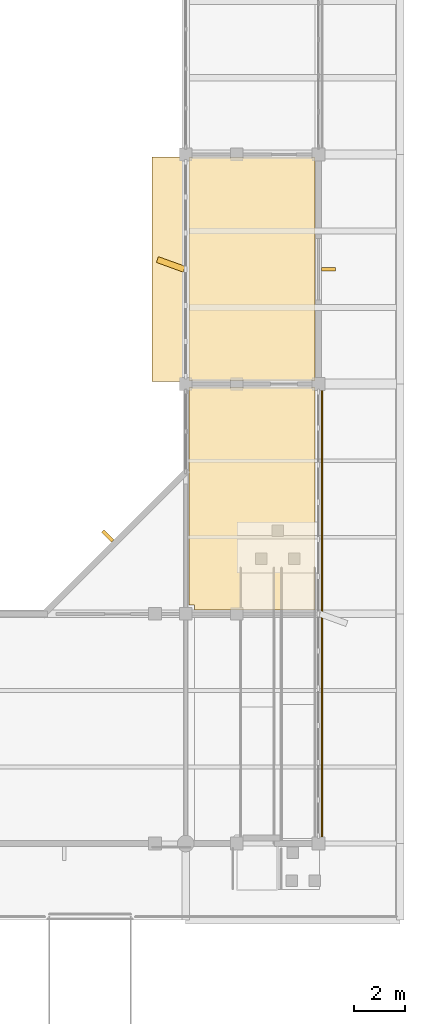
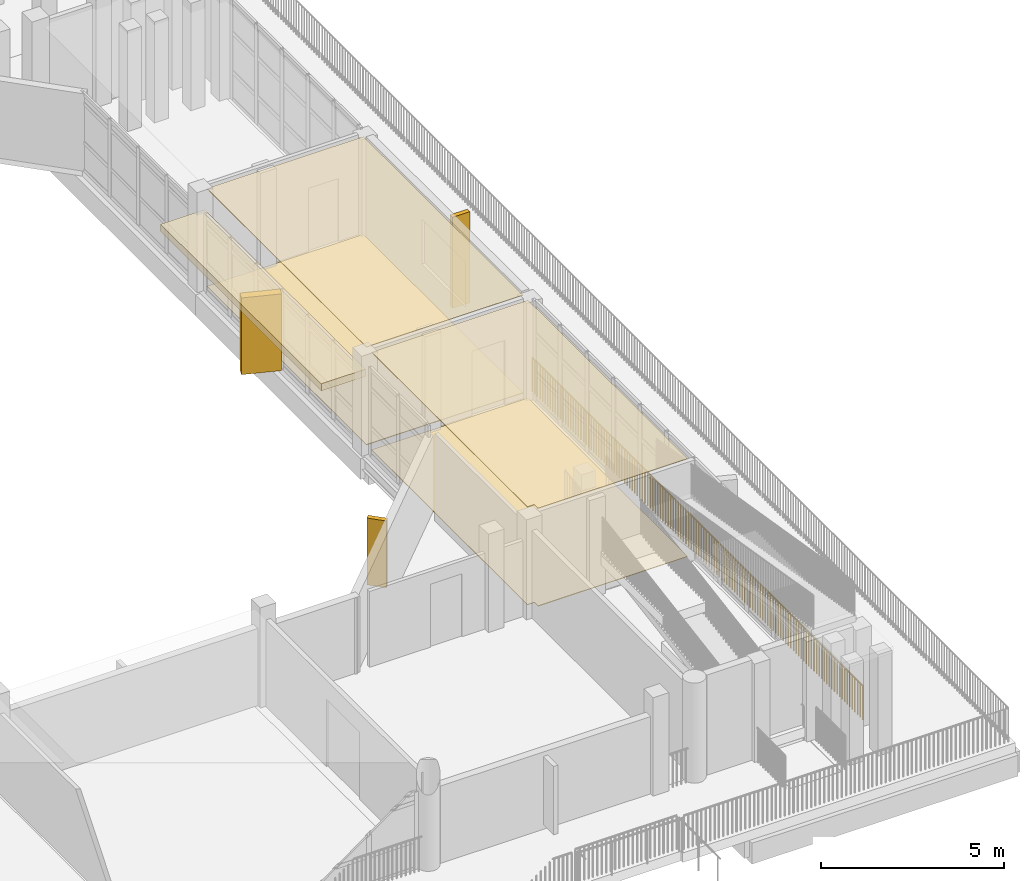
# One storey, part 46 of 51: 6 coverings, 2 shading devices, 1 railing.
"""IFC4 building model written with IfcOpenShell, lengths in metres."""

from ifc_helpers import new_model, si_unit, direction, frame, origin, origin_2d, place, context, subcontext, project, spatial, polyline, rectangle, circle, outline, extrude, material, layer, layer_set, type_object, element, save


model = new_model("IFC4")

# Units and contexts
model_context = context("Model", 3, precision=1e-05, world=origin(), true_north=direction((0.0, 1.0)))
body_context = subcontext(model_context, "Body", "Model", "MODEL_VIEW")
ifc_project = project(units=[si_unit("LENGTHUNIT", "METRE"), si_unit("AREAUNIT", "SQUARE_METRE"), si_unit("VOLUMEUNIT", "CUBIC_METRE"), si_unit("PLANEANGLEUNIT", "RADIAN"), si_unit("MASSUNIT", "GRAM", prefix="KILO")], contexts=[model_context])

# Site, building, storey
site_placement = place(None, origin())
site = spatial("IfcSite", under=ifc_project, at=site_placement, CompositionType="ELEMENT")
building_placement = place(site_placement, origin())
building = spatial("IfcBuilding", under=site, at=building_placement, Name="Vanh Quang Courtyard School", CompositionType="ELEMENT")
storey_placement = place(building_placement, frame((0.0, 0.0, 11.39990234375)))
storey = spatial("IfcBuildingStorey", under=building, at=storey_placement, Name="L03", CompositionType="ELEMENT", Elevation=11.39990234375)

# Coverings
ifc_material_1 = material(Name="Perforated mineral-fibre acoustic ceiling board")
ifc_layer_1 = layer(ifc_material_1, 0.02490234375)
ifc_layer_set_1 = layer_set([ifc_layer_1], Name="Perforated mineral-fibre acoustic ceiling board")
covering_type_1 = type_object("IfcCoveringType", Name="COV-CEIL-ACOUSTIC", PredefinedType="CEILING", material=ifc_layer_set_1)
covering_1_placement = place(storey_placement, frame((0.0, 0.0, 3.255126953125)))
element("IfcCovering", 1, at=covering_1_placement, inside=storey, type_object=covering_type_1, Name="Covering CV-CL1 (L03)", PredefinedType="CEILING", context=body_context, shape_type="SweptSolid", body=[
    extrude(outline(polyline([(111.35009765625, 41.54931640625), (111.35009765625, 41.75), (111.1298828125, 41.75), (111.1298828125, 50.260009765625), (111.1298828125, 50.260986328125), (111.130126953125, 50.261962890625), (111.13037109375, 50.262939453125), (111.130859375, 50.263916015625), (111.131103515625, 50.2646484375), (111.131591796875, 50.265625), (111.13232421875, 50.266357421875), (111.1328125, 50.26708984375), (111.1337890625, 50.267578125), (111.134521484375, 50.268310546875), (111.13525390625, 50.268798828125), (111.13623046875, 50.269287109375), (111.13720703125, 50.26953125), (111.137939453125, 50.269775390625), (111.138916015625, 50.27001953125), (111.139892578125, 50.27001953125), (116.06005859375, 50.27001953125), (116.06103515625, 50.27001953125), (116.06201171875, 50.269775390625), (116.06298828125, 50.26953125), (116.063720703125, 50.269287109375), (116.064697265625, 50.268798828125), (116.065673828125, 50.268310546875), (116.06640625, 50.267578125), (116.067138671875, 50.26708984375), (116.067626953125, 50.266357421875), (116.068359375, 50.265625), (116.06884765625, 50.2646484375), (116.069091796875, 50.263916015625), (116.069580078125, 50.262939453125), (116.06982421875, 50.261962890625), (116.070068359375, 50.260986328125), (116.070068359375, 50.260009765625), (116.070068359375, 41.56005859375), (116.070068359375, 41.55908203125), (116.06982421875, 41.55810546875), (116.069580078125, 41.55712890625), (116.069091796875, 41.55615234375), (116.06884765625, 41.555419921875), (116.068359375, 41.554443359375), (116.067626953125, 41.5537109375), (116.067138671875, 41.552978515625), (116.06640625, 41.55224609375), (116.065673828125, 41.5517578125), (116.064697265625, 41.55126953125), (116.063720703125, 41.55078125), (116.06298828125, 41.55029296875), (116.06201171875, 41.55029296875), (116.06103515625, 41.550048828125), (116.06005859375, 41.550048828125), (111.35009765625, 41.54931640625)])), origin(), (0.0, 0.0, 1.0), 0.02490234375),
])
covering_2_placement = place(storey_placement, frame((0.0, 0.0, 3.255126953125)))
element("IfcCovering", 2, at=covering_2_placement, inside=storey, type_object=covering_type_1, Name="Covering CV-CL1 (L03)", PredefinedType="CEILING", context=body_context, shape_type="SweptSolid", body=[
    extrude(outline(polyline([(111.139892578125, 50.550048828125), (111.138916015625, 50.550048828125), (111.137939453125, 50.55029296875), (111.13720703125, 50.55029296875), (111.13623046875, 50.55078125), (111.13525390625, 50.55126953125), (111.134521484375, 50.5517578125), (111.1337890625, 50.55224609375), (111.1328125, 50.552978515625), (111.13232421875, 50.5537109375), (111.131591796875, 50.554443359375), (111.131103515625, 50.555419921875), (111.130859375, 50.55615234375), (111.13037109375, 50.55712890625), (111.130126953125, 50.55810546875), (111.1298828125, 50.55908203125), (111.1298828125, 50.56005859375), (111.1298828125, 59.260009765625), (111.1298828125, 59.260986328125), (111.130126953125, 59.261962890625), (111.13037109375, 59.262939453125), (111.130859375, 59.263916015625), (111.131103515625, 59.2646484375), (111.131591796875, 59.265625), (111.13232421875, 59.266357421875), (111.1328125, 59.26708984375), (111.1337890625, 59.267578125), (111.134521484375, 59.268310546875), (111.13525390625, 59.268798828125), (111.13623046875, 59.269287109375), (111.13720703125, 59.26953125), (111.137939453125, 59.269775390625), (111.138916015625, 59.27001953125), (111.139892578125, 59.27001953125), (116.06005859375, 59.27001953125), (116.06103515625, 59.27001953125), (116.06201171875, 59.269775390625), (116.06298828125, 59.26953125), (116.063720703125, 59.269287109375), (116.064697265625, 59.268798828125), (116.065673828125, 59.268310546875), (116.06640625, 59.267578125), (116.067138671875, 59.26708984375), (116.067626953125, 59.266357421875), (116.068359375, 59.265625), (116.06884765625, 59.2646484375), (116.069091796875, 59.263916015625), (116.069580078125, 59.262939453125), (116.06982421875, 59.261962890625), (116.070068359375, 59.260986328125), (116.070068359375, 59.260009765625), (116.070068359375, 50.56005859375), (116.070068359375, 50.55908203125), (116.06982421875, 50.55810546875), (116.069580078125, 50.55712890625), (116.069091796875, 50.55615234375), (116.06884765625, 50.555419921875), (116.068359375, 50.554443359375), (116.067626953125, 50.5537109375), (116.067138671875, 50.552978515625), (116.06640625, 50.55224609375), (116.065673828125, 50.5517578125), (116.064697265625, 50.55126953125), (116.063720703125, 50.55078125), (116.06298828125, 50.55029296875), (116.06201171875, 50.55029296875), (116.06103515625, 50.550048828125), (116.06005859375, 50.550048828125), (111.139892578125, 50.550048828125)])), origin(), (0.0, 0.0, 1.0), 0.02490234375),
])
ifc_material_2 = material(Name="Polished cementitious terrazzo tile", Category="concrete")
ifc_layer_2 = layer(ifc_material_2, 0.02001953125)
ifc_layer_set_2 = layer_set([ifc_layer_2], Name="Polished cementitious terrazzo tile")
covering_type_2 = type_object("IfcCoveringType", Name="COV-FLR-TERRAZZO", PredefinedType="FLOORING", material=ifc_layer_set_2)
covering_3_placement = place(storey_placement, origin())
element("IfcCovering", 3, at=covering_3_placement, inside=storey, type_object=covering_type_2, Name="Covering CV-FL1 (L03)", PredefinedType="FLOORING", context=body_context, shape_type="SweptSolid", body=[
    extrude(outline(polyline([(111.35009765625, 41.54931640625), (111.35009765625, 41.75), (111.1298828125, 41.75), (111.1298828125, 50.260009765625), (111.1298828125, 50.260986328125), (111.130126953125, 50.261962890625), (111.13037109375, 50.262939453125), (111.130859375, 50.263916015625), (111.131103515625, 50.2646484375), (111.131591796875, 50.265625), (111.13232421875, 50.266357421875), (111.1328125, 50.26708984375), (111.1337890625, 50.267578125), (111.134521484375, 50.268310546875), (111.13525390625, 50.268798828125), (111.13623046875, 50.269287109375), (111.13720703125, 50.26953125), (111.137939453125, 50.269775390625), (111.138916015625, 50.27001953125), (111.139892578125, 50.27001953125), (116.06005859375, 50.27001953125), (116.06103515625, 50.27001953125), (116.06201171875, 50.269775390625), (116.06298828125, 50.26953125), (116.063720703125, 50.269287109375), (116.064697265625, 50.268798828125), (116.065673828125, 50.268310546875), (116.06640625, 50.267578125), (116.067138671875, 50.26708984375), (116.067626953125, 50.266357421875), (116.068359375, 50.265625), (116.06884765625, 50.2646484375), (116.069091796875, 50.263916015625), (116.069580078125, 50.262939453125), (116.06982421875, 50.261962890625), (116.070068359375, 50.260986328125), (116.070068359375, 50.260009765625), (116.070068359375, 41.56005859375), (116.070068359375, 41.55908203125), (116.06982421875, 41.55810546875), (116.069580078125, 41.55712890625), (116.069091796875, 41.55615234375), (116.06884765625, 41.555419921875), (116.068359375, 41.554443359375), (116.067626953125, 41.5537109375), (116.067138671875, 41.552978515625), (116.06640625, 41.55224609375), (116.065673828125, 41.5517578125), (116.064697265625, 41.55126953125), (116.063720703125, 41.55078125), (116.06298828125, 41.55029296875), (116.06201171875, 41.55029296875), (116.06103515625, 41.550048828125), (116.06005859375, 41.550048828125), (111.35009765625, 41.54931640625)])), origin(), (0.0, 0.0, 1.0), 0.02001953125),
])
covering_4_placement = place(storey_placement, origin())
element("IfcCovering", 4, at=covering_4_placement, inside=storey, type_object=covering_type_2, Name="Covering CV-FL1 (L03)", PredefinedType="FLOORING", context=body_context, shape_type="SweptSolid", body=[
    extrude(outline(polyline([(111.139892578125, 50.550048828125), (111.138916015625, 50.550048828125), (111.137939453125, 50.55029296875), (111.13720703125, 50.55029296875), (111.13623046875, 50.55078125), (111.13525390625, 50.55126953125), (111.134521484375, 50.5517578125), (111.1337890625, 50.55224609375), (111.1328125, 50.552978515625), (111.13232421875, 50.5537109375), (111.131591796875, 50.554443359375), (111.131103515625, 50.555419921875), (111.130859375, 50.55615234375), (111.13037109375, 50.55712890625), (111.130126953125, 50.55810546875), (111.1298828125, 50.55908203125), (111.1298828125, 50.56005859375), (111.1298828125, 59.260009765625), (111.1298828125, 59.260986328125), (111.130126953125, 59.261962890625), (111.13037109375, 59.262939453125), (111.130859375, 59.263916015625), (111.131103515625, 59.2646484375), (111.131591796875, 59.265625), (111.13232421875, 59.266357421875), (111.1328125, 59.26708984375), (111.1337890625, 59.267578125), (111.134521484375, 59.268310546875), (111.13525390625, 59.268798828125), (111.13623046875, 59.269287109375), (111.13720703125, 59.26953125), (111.137939453125, 59.269775390625), (111.138916015625, 59.27001953125), (111.139892578125, 59.27001953125), (116.06005859375, 59.27001953125), (116.06103515625, 59.27001953125), (116.06201171875, 59.269775390625), (116.06298828125, 59.26953125), (116.063720703125, 59.269287109375), (116.064697265625, 59.268798828125), (116.065673828125, 59.268310546875), (116.06640625, 59.267578125), (116.067138671875, 59.26708984375), (116.067626953125, 59.266357421875), (116.068359375, 59.265625), (116.06884765625, 59.2646484375), (116.069091796875, 59.263916015625), (116.069580078125, 59.262939453125), (116.06982421875, 59.261962890625), (116.070068359375, 59.260986328125), (116.070068359375, 59.260009765625), (116.070068359375, 50.56005859375), (116.070068359375, 50.55908203125), (116.06982421875, 50.55810546875), (116.069580078125, 50.55712890625), (116.069091796875, 50.55615234375), (116.06884765625, 50.555419921875), (116.068359375, 50.554443359375), (116.067626953125, 50.5537109375), (116.067138671875, 50.552978515625), (116.06640625, 50.55224609375), (116.065673828125, 50.5517578125), (116.064697265625, 50.55126953125), (116.063720703125, 50.55078125), (116.06298828125, 50.55029296875), (116.06201171875, 50.55029296875), (116.06103515625, 50.550048828125), (116.06005859375, 50.550048828125), (111.139892578125, 50.550048828125)])), origin(), (0.0, 0.0, 1.0), 0.02001953125),
])
ifc_material_3 = material(Name="Board-marked precast concrete C40/50", Category="concrete")
ifc_layer_3 = layer(ifc_material_3, 0.239990234375)
ifc_layer_set_3 = layer_set([ifc_layer_3], Name="Board-marked precast concrete C40/50")
covering_type_3 = type_object("IfcCoveringType", Name="COV-HOOD-CONC", PredefinedType="CLADDING", material=ifc_layer_set_3)
covering_5_placement = place(storey_placement, frame((110.3798828125, 54.89990234375, 2.34033203125), z_axis=(0.0, 0.0, 1.0), x_axis=(0.0, 1.0, 0.0)))
element("IfcCovering", 5, at=covering_5_placement, inside=storey, type_object=covering_type_3, Name="Covering CH-01 (L03)", PredefinedType="CLADDING", context=body_context, shape_type="SweptSolid", body=[
    extrude(rectangle(XDim=8.783935546875, YDim=1.39990234375, at=origin_2d()), origin(), (0.0, 0.0, 1.0), 0.239990234375),
])
covering_6_placement = place(storey_placement, frame((110.4150390625, 55.090087890625, 0.0), z_axis=(0.0, 0.0, 1.0), x_axis=(-0.94028812701, 0.340379550213, 0.0)))
element("IfcCovering", 6, at=covering_6_placement, inside=storey, type_object=covering_type_3, Name="Covering CH-01 (L03)", PredefinedType="CLADDING", context=body_context, shape_type="SweptSolid", body=[
    extrude(rectangle(XDim=1.11669921875, YDim=0.239990234375, at=origin_2d()), origin(), (0.0, 0.0, 1.0), 2.56005859375),
])

# Railing
ifc_material_4 = material(Name="Galvanised painted steel EN 10025-2 S355J2", Category="steel")
railing_type = type_object("IfcRailingType", Name="RAIL-GUARD-1150", PredefinedType="BALUSTRADE", material=ifc_material_4)
railing_placement = place(storey_placement, frame((116.340087890625, 32.449951171875, 0.0)))
element("IfcRailing", 7, at=railing_placement, inside=storey, type_object=railing_type, Name="Railing GR-01 (L03)", PredefinedType="BALUSTRADE", context=body_context, shape_type="SweptSolid", body=[
    extrude(circle(Radius=0.02392578125, at=origin_2d()), frame((0.0, 0.0, 1.1259765625), z_axis=(0.0, 1.0, 0.0), x_axis=(-1.0, 0.0, 0.0)), (0.0, 0.0, 1.0), 18.055419921875),
    extrude(circle(Radius=0.02099609375, at=origin_2d()), origin(), (0.0, 0.0, 1.0), 1.101806640625),
    extrude(circle(Radius=0.02099609375, at=origin_2d()), frame((0.0, 0.139892578125, 0.0)), (0.0, 0.0, 1.0), 1.101806640625),
    extrude(circle(Radius=0.02099609375, at=origin_2d()), frame((0.0, 0.280029296875, 0.0)), (0.0, 0.0, 1.0), 1.101806640625),
    extrude(circle(Radius=0.02099609375, at=origin_2d()), frame((0.0, 0.419921875, 0.0)), (0.0, 0.0, 1.0), 1.101806640625),
    extrude(circle(Radius=0.02099609375, at=origin_2d()), frame((0.0, 0.559814453125, 0.0)), (0.0, 0.0, 1.0), 1.101806640625),
    extrude(circle(Radius=0.02099609375, at=origin_2d()), frame((0.0, 0.69970703125, 0.0)), (0.0, 0.0, 1.0), 1.101806640625),
    extrude(circle(Radius=0.02099609375, at=origin_2d()), frame((0.0, 0.83984375, 0.0)), (0.0, 0.0, 1.0), 1.101806640625),
    extrude(circle(Radius=0.02099609375, at=origin_2d()), frame((0.0, 0.979736328125, 0.0)), (0.0, 0.0, 1.0), 1.101806640625),
    extrude(circle(Radius=0.02099609375, at=origin_2d()), frame((0.0, 1.11962890625, 0.0)), (0.0, 0.0, 1.0), 1.101806640625),
    extrude(circle(Radius=0.02099609375, at=origin_2d()), frame((0.0, 1.259765625, 0.0)), (0.0, 0.0, 1.0), 1.101806640625),
    extrude(circle(Radius=0.02099609375, at=origin_2d()), frame((0.0, 1.399658203125, 0.0)), (0.0, 0.0, 1.0), 1.101806640625),
    extrude(circle(Radius=0.02099609375, at=origin_2d()), frame((0.0, 1.53955078125, 0.0)), (0.0, 0.0, 1.0), 1.101806640625),
    extrude(circle(Radius=0.02099609375, at=origin_2d()), frame((0.0, 1.6796875, 0.0)), (0.0, 0.0, 1.0), 1.101806640625),
    extrude(circle(Radius=0.02099609375, at=origin_2d()), frame((0.0, 1.819580078125, 0.0)), (0.0, 0.0, 1.0), 1.101806640625),
    extrude(circle(Radius=0.02099609375, at=origin_2d()), frame((0.0, 1.95947265625, 0.0)), (0.0, 0.0, 1.0), 1.101806640625),
    extrude(circle(Radius=0.02099609375, at=origin_2d()), frame((0.0, 2.099365234375, 0.0)), (0.0, 0.0, 1.0), 1.101806640625),
    extrude(circle(Radius=0.02099609375, at=origin_2d()), frame((0.0, 2.239501953125, 0.0)), (0.0, 0.0, 1.0), 1.101806640625),
    extrude(circle(Radius=0.02099609375, at=origin_2d()), frame((0.0, 2.37939453125, 0.0)), (0.0, 0.0, 1.0), 1.101806640625),
    extrude(circle(Radius=0.02099609375, at=origin_2d()), frame((0.0, 2.519287109375, 0.0)), (0.0, 0.0, 1.0), 1.101806640625),
    extrude(circle(Radius=0.02099609375, at=origin_2d()), frame((0.0, 2.659423828125, 0.0)), (0.0, 0.0, 1.0), 1.101806640625),
    extrude(circle(Radius=0.02099609375, at=origin_2d()), frame((0.0, 2.79931640625, 0.0)), (0.0, 0.0, 1.0), 1.101806640625),
    extrude(circle(Radius=0.02099609375, at=origin_2d()), frame((0.0, 2.939208984375, 0.0)), (0.0, 0.0, 1.0), 1.101806640625),
    extrude(circle(Radius=0.02099609375, at=origin_2d()), frame((0.0, 3.0791015625, 0.0)), (0.0, 0.0, 1.0), 1.101806640625),
    extrude(circle(Radius=0.02099609375, at=origin_2d()), frame((0.0, 3.21923828125, 0.0)), (0.0, 0.0, 1.0), 1.101806640625),
    extrude(circle(Radius=0.02099609375, at=origin_2d()), frame((0.0, 3.359130859375, 0.0)), (0.0, 0.0, 1.0), 1.101806640625),
    extrude(circle(Radius=0.02099609375, at=origin_2d()), frame((0.0, 3.4990234375, 0.0)), (0.0, 0.0, 1.0), 1.101806640625),
    extrude(circle(Radius=0.02099609375, at=origin_2d()), frame((0.0, 3.63916015625, 0.0)), (0.0, 0.0, 1.0), 1.101806640625),
    extrude(circle(Radius=0.02099609375, at=origin_2d()), frame((0.0, 3.779052734375, 0.0)), (0.0, 0.0, 1.0), 1.101806640625),
    extrude(circle(Radius=0.02099609375, at=origin_2d()), frame((0.0, 3.9189453125, 0.0)), (0.0, 0.0, 1.0), 1.101806640625),
    extrude(circle(Radius=0.02099609375, at=origin_2d()), frame((0.0, 4.05908203125, 0.0)), (0.0, 0.0, 1.0), 1.101806640625),
    extrude(circle(Radius=0.02099609375, at=origin_2d()), frame((0.0, 4.198974609375, 0.0)), (0.0, 0.0, 1.0), 1.101806640625),
    extrude(circle(Radius=0.02099609375, at=origin_2d()), frame((0.0, 4.3388671875, 0.0)), (0.0, 0.0, 1.0), 1.101806640625),
    extrude(circle(Radius=0.02099609375, at=origin_2d()), frame((0.0, 4.478759765625, 0.0)), (0.0, 0.0, 1.0), 1.101806640625),
    extrude(circle(Radius=0.02099609375, at=origin_2d()), frame((0.0, 4.618896484375, 0.0)), (0.0, 0.0, 1.0), 1.101806640625),
    extrude(circle(Radius=0.02099609375, at=origin_2d()), frame((0.0, 4.7587890625, 0.0)), (0.0, 0.0, 1.0), 1.101806640625),
    extrude(circle(Radius=0.02099609375, at=origin_2d()), frame((0.0, 4.898681640625, 0.0)), (0.0, 0.0, 1.0), 1.101806640625),
    extrude(circle(Radius=0.02099609375, at=origin_2d()), frame((0.0, 5.038818359375, 0.0)), (0.0, 0.0, 1.0), 1.101806640625),
    extrude(circle(Radius=0.02099609375, at=origin_2d()), frame((0.0, 5.1787109375, 0.0)), (0.0, 0.0, 1.0), 1.101806640625),
    extrude(circle(Radius=0.02099609375, at=origin_2d()), frame((0.0, 5.318603515625, 0.0)), (0.0, 0.0, 1.0), 1.101806640625),
    extrude(circle(Radius=0.02099609375, at=origin_2d()), frame((0.0, 5.45849609375, 0.0)), (0.0, 0.0, 1.0), 1.101806640625),
    extrude(circle(Radius=0.02099609375, at=origin_2d()), frame((0.0, 5.5986328125, 0.0)), (0.0, 0.0, 1.0), 1.101806640625),
    extrude(circle(Radius=0.02099609375, at=origin_2d()), frame((0.0, 5.738525390625, 0.0)), (0.0, 0.0, 1.0), 1.101806640625),
    extrude(circle(Radius=0.02099609375, at=origin_2d()), frame((0.0, 5.87841796875, 0.0)), (0.0, 0.0, 1.0), 1.101806640625),
    extrude(circle(Radius=0.02099609375, at=origin_2d()), frame((0.0, 6.0185546875, 0.0)), (0.0, 0.0, 1.0), 1.101806640625),
    extrude(circle(Radius=0.02099609375, at=origin_2d()), frame((0.0, 6.158447265625, 0.0)), (0.0, 0.0, 1.0), 1.101806640625),
    extrude(circle(Radius=0.02099609375, at=origin_2d()), frame((0.0, 6.29833984375, 0.0)), (0.0, 0.0, 1.0), 1.101806640625),
    extrude(circle(Radius=0.02099609375, at=origin_2d()), frame((0.0, 6.4384765625, 0.0)), (0.0, 0.0, 1.0), 1.101806640625),
    extrude(circle(Radius=0.02099609375, at=origin_2d()), frame((0.0, 6.578369140625, 0.0)), (0.0, 0.0, 1.0), 1.101806640625),
    extrude(circle(Radius=0.02099609375, at=origin_2d()), frame((0.0, 6.71826171875, 0.0)), (0.0, 0.0, 1.0), 1.101806640625),
    extrude(circle(Radius=0.02099609375, at=origin_2d()), frame((0.0, 6.858154296875, 0.0)), (0.0, 0.0, 1.0), 1.101806640625),
    extrude(circle(Radius=0.02099609375, at=origin_2d()), frame((0.0, 6.998291015625, 0.0)), (0.0, 0.0, 1.0), 1.101806640625),
    extrude(circle(Radius=0.02099609375, at=origin_2d()), frame((0.0, 7.13818359375, 0.0)), (0.0, 0.0, 1.0), 1.101806640625),
    extrude(circle(Radius=0.02099609375, at=origin_2d()), frame((0.0, 7.278076171875, 0.0)), (0.0, 0.0, 1.0), 1.101806640625),
    extrude(circle(Radius=0.02099609375, at=origin_2d()), frame((0.0, 7.418212890625, 0.0)), (0.0, 0.0, 1.0), 1.101806640625),
    extrude(circle(Radius=0.02099609375, at=origin_2d()), frame((0.0, 7.55810546875, 0.0)), (0.0, 0.0, 1.0), 1.101806640625),
    extrude(circle(Radius=0.02099609375, at=origin_2d()), frame((0.0, 7.697998046875, 0.0)), (0.0, 0.0, 1.0), 1.101806640625),
    extrude(circle(Radius=0.02099609375, at=origin_2d()), frame((0.0, 7.837890625, 0.0)), (0.0, 0.0, 1.0), 1.101806640625),
    extrude(circle(Radius=0.02099609375, at=origin_2d()), frame((0.0, 7.97802734375, 0.0)), (0.0, 0.0, 1.0), 1.101806640625),
    extrude(circle(Radius=0.02099609375, at=origin_2d()), frame((0.0, 8.117919921875, 0.0)), (0.0, 0.0, 1.0), 1.101806640625),
    extrude(circle(Radius=0.02099609375, at=origin_2d()), frame((0.0, 8.2578125, 0.0)), (0.0, 0.0, 1.0), 1.101806640625),
    extrude(circle(Radius=0.02099609375, at=origin_2d()), frame((0.0, 8.39794921875, 0.0)), (0.0, 0.0, 1.0), 1.101806640625),
    extrude(circle(Radius=0.02099609375, at=origin_2d()), frame((0.0, 8.537841796875, 0.0)), (0.0, 0.0, 1.0), 1.101806640625),
    extrude(circle(Radius=0.02099609375, at=origin_2d()), frame((0.0, 8.677734375, 0.0)), (0.0, 0.0, 1.0), 1.101806640625),
    extrude(circle(Radius=0.02099609375, at=origin_2d()), frame((0.0, 8.81787109375, 0.0)), (0.0, 0.0, 1.0), 1.101806640625),
    extrude(circle(Radius=0.02099609375, at=origin_2d()), frame((0.0, 8.957763671875, 0.0)), (0.0, 0.0, 1.0), 1.101806640625),
    extrude(circle(Radius=0.02099609375, at=origin_2d()), frame((0.0, 9.09765625, 0.0)), (0.0, 0.0, 1.0), 1.101806640625),
    extrude(circle(Radius=0.02099609375, at=origin_2d()), frame((0.0, 9.237548828125, 0.0)), (0.0, 0.0, 1.0), 1.101806640625),
    extrude(circle(Radius=0.02099609375, at=origin_2d()), frame((0.0, 9.377685546875, 0.0)), (0.0, 0.0, 1.0), 1.101806640625),
    extrude(circle(Radius=0.02099609375, at=origin_2d()), frame((0.0, 9.517578125, 0.0)), (0.0, 0.0, 1.0), 1.101806640625),
    extrude(circle(Radius=0.02099609375, at=origin_2d()), frame((0.0, 9.657470703125, 0.0)), (0.0, 0.0, 1.0), 1.101806640625),
    extrude(circle(Radius=0.02099609375, at=origin_2d()), frame((0.0, 9.797607421875, 0.0)), (0.0, 0.0, 1.0), 1.101806640625),
    extrude(circle(Radius=0.02099609375, at=origin_2d()), frame((0.0, 9.9375, 0.0)), (0.0, 0.0, 1.0), 1.101806640625),
    extrude(circle(Radius=0.02099609375, at=origin_2d()), frame((0.0, 10.077392578125, 0.0)), (0.0, 0.0, 1.0), 1.101806640625),
    extrude(circle(Radius=0.02099609375, at=origin_2d()), frame((0.0, 10.217529296875, 0.0)), (0.0, 0.0, 1.0), 1.101806640625),
    extrude(circle(Radius=0.02099609375, at=origin_2d()), frame((0.0, 10.357421875, 0.0)), (0.0, 0.0, 1.0), 1.101806640625),
    extrude(circle(Radius=0.02099609375, at=origin_2d()), frame((0.0, 10.497314453125, 0.0)), (0.0, 0.0, 1.0), 1.101806640625),
    extrude(circle(Radius=0.02099609375, at=origin_2d()), frame((0.0, 10.63720703125, 0.0)), (0.0, 0.0, 1.0), 1.101806640625),
    extrude(circle(Radius=0.02099609375, at=origin_2d()), frame((0.0, 10.77734375, 0.0)), (0.0, 0.0, 1.0), 1.101806640625),
    extrude(circle(Radius=0.02099609375, at=origin_2d()), frame((0.0, 10.917236328125, 0.0)), (0.0, 0.0, 1.0), 1.101806640625),
    extrude(circle(Radius=0.02099609375, at=origin_2d()), frame((0.0, 11.05712890625, 0.0)), (0.0, 0.0, 1.0), 1.101806640625),
    extrude(circle(Radius=0.02099609375, at=origin_2d()), frame((0.0, 11.197265625, 0.0)), (0.0, 0.0, 1.0), 1.101806640625),
    extrude(circle(Radius=0.02099609375, at=origin_2d()), frame((0.0, 11.337158203125, 0.0)), (0.0, 0.0, 1.0), 1.101806640625),
    extrude(circle(Radius=0.02099609375, at=origin_2d()), frame((0.0, 11.47705078125, 0.0)), (0.0, 0.0, 1.0), 1.101806640625),
    extrude(circle(Radius=0.02099609375, at=origin_2d()), frame((0.0, 11.616943359375, 0.0)), (0.0, 0.0, 1.0), 1.101806640625),
    extrude(circle(Radius=0.02099609375, at=origin_2d()), frame((0.0, 11.757080078125, 0.0)), (0.0, 0.0, 1.0), 1.101806640625),
    extrude(circle(Radius=0.02099609375, at=origin_2d()), frame((0.0, 11.89697265625, 0.0)), (0.0, 0.0, 1.0), 1.101806640625),
    extrude(circle(Radius=0.02099609375, at=origin_2d()), frame((0.0, 12.036865234375, 0.0)), (0.0, 0.0, 1.0), 1.101806640625),
    extrude(circle(Radius=0.02099609375, at=origin_2d()), frame((0.0, 12.177001953125, 0.0)), (0.0, 0.0, 1.0), 1.101806640625),
    extrude(circle(Radius=0.02099609375, at=origin_2d()), frame((0.0, 12.31689453125, 0.0)), (0.0, 0.0, 1.0), 1.101806640625),
    extrude(circle(Radius=0.02099609375, at=origin_2d()), frame((0.0, 12.456787109375, 0.0)), (0.0, 0.0, 1.0), 1.101806640625),
    extrude(circle(Radius=0.02099609375, at=origin_2d()), frame((0.0, 12.596923828125, 0.0)), (0.0, 0.0, 1.0), 1.101806640625),
    extrude(circle(Radius=0.02099609375, at=origin_2d()), frame((0.0, 12.73681640625, 0.0)), (0.0, 0.0, 1.0), 1.101806640625),
    extrude(circle(Radius=0.02099609375, at=origin_2d()), frame((0.0, 12.876708984375, 0.0)), (0.0, 0.0, 1.0), 1.101806640625),
    extrude(circle(Radius=0.02099609375, at=origin_2d()), frame((0.0, 13.0166015625, 0.0)), (0.0, 0.0, 1.0), 1.101806640625),
    extrude(circle(Radius=0.02099609375, at=origin_2d()), frame((0.0, 13.15673828125, 0.0)), (0.0, 0.0, 1.0), 1.101806640625),
    extrude(circle(Radius=0.02099609375, at=origin_2d()), frame((0.0, 13.296630859375, 0.0)), (0.0, 0.0, 1.0), 1.101806640625),
    extrude(circle(Radius=0.02099609375, at=origin_2d()), frame((0.0, 13.4365234375, 0.0)), (0.0, 0.0, 1.0), 1.101806640625),
    extrude(circle(Radius=0.02099609375, at=origin_2d()), frame((0.0, 13.57666015625, 0.0)), (0.0, 0.0, 1.0), 1.101806640625),
    extrude(circle(Radius=0.02099609375, at=origin_2d()), frame((0.0, 13.716552734375, 0.0)), (0.0, 0.0, 1.0), 1.101806640625),
    extrude(circle(Radius=0.02099609375, at=origin_2d()), frame((0.0, 13.8564453125, 0.0)), (0.0, 0.0, 1.0), 1.101806640625),
    extrude(circle(Radius=0.02099609375, at=origin_2d()), frame((0.0, 13.996337890625, 0.0)), (0.0, 0.0, 1.0), 1.101806640625),
    extrude(circle(Radius=0.02099609375, at=origin_2d()), frame((0.0, 14.136474609375, 0.0)), (0.0, 0.0, 1.0), 1.101806640625),
    extrude(circle(Radius=0.02099609375, at=origin_2d()), frame((0.0, 14.2763671875, 0.0)), (0.0, 0.0, 1.0), 1.101806640625),
    extrude(circle(Radius=0.02099609375, at=origin_2d()), frame((0.0, 14.416259765625, 0.0)), (0.0, 0.0, 1.0), 1.101806640625),
    extrude(circle(Radius=0.02099609375, at=origin_2d()), frame((0.0, 14.556396484375, 0.0)), (0.0, 0.0, 1.0), 1.101806640625),
    extrude(circle(Radius=0.02099609375, at=origin_2d()), frame((0.0, 14.6962890625, 0.0)), (0.0, 0.0, 1.0), 1.101806640625),
    extrude(circle(Radius=0.02099609375, at=origin_2d()), frame((0.0, 14.836181640625, 0.0)), (0.0, 0.0, 1.0), 1.101806640625),
    extrude(circle(Radius=0.02099609375, at=origin_2d()), frame((0.0, 14.976318359375, 0.0)), (0.0, 0.0, 1.0), 1.101806640625),
    extrude(circle(Radius=0.02099609375, at=origin_2d()), frame((0.0, 15.1162109375, 0.0)), (0.0, 0.0, 1.0), 1.101806640625),
    extrude(circle(Radius=0.02099609375, at=origin_2d()), frame((0.0, 15.256103515625, 0.0)), (0.0, 0.0, 1.0), 1.101806640625),
    extrude(circle(Radius=0.02099609375, at=origin_2d()), frame((0.0, 15.39599609375, 0.0)), (0.0, 0.0, 1.0), 1.101806640625),
    extrude(circle(Radius=0.02099609375, at=origin_2d()), frame((0.0, 15.5361328125, 0.0)), (0.0, 0.0, 1.0), 1.101806640625),
    extrude(circle(Radius=0.02099609375, at=origin_2d()), frame((0.0, 15.676025390625, 0.0)), (0.0, 0.0, 1.0), 1.101806640625),
    extrude(circle(Radius=0.02099609375, at=origin_2d()), frame((0.0, 15.81591796875, 0.0)), (0.0, 0.0, 1.0), 1.101806640625),
    extrude(circle(Radius=0.02099609375, at=origin_2d()), frame((0.0, 15.9560546875, 0.0)), (0.0, 0.0, 1.0), 1.101806640625),
    extrude(circle(Radius=0.02099609375, at=origin_2d()), frame((0.0, 16.095947265625, 0.0)), (0.0, 0.0, 1.0), 1.101806640625),
    extrude(circle(Radius=0.02099609375, at=origin_2d()), frame((0.0, 16.23583984375, 0.0)), (0.0, 0.0, 1.0), 1.101806640625),
    extrude(circle(Radius=0.02099609375, at=origin_2d()), frame((0.0, 16.375732421875, 0.0)), (0.0, 0.0, 1.0), 1.101806640625),
    extrude(circle(Radius=0.02099609375, at=origin_2d()), frame((0.0, 16.515869140625, 0.0)), (0.0, 0.0, 1.0), 1.101806640625),
    extrude(circle(Radius=0.02099609375, at=origin_2d()), frame((0.0, 16.65576171875, 0.0)), (0.0, 0.0, 1.0), 1.101806640625),
    extrude(circle(Radius=0.02099609375, at=origin_2d()), frame((0.0, 16.795654296875, 0.0)), (0.0, 0.0, 1.0), 1.101806640625),
    extrude(circle(Radius=0.02099609375, at=origin_2d()), frame((0.0, 16.935791015625, 0.0)), (0.0, 0.0, 1.0), 1.101806640625),
    extrude(circle(Radius=0.02099609375, at=origin_2d()), frame((0.0, 17.07568359375, 0.0)), (0.0, 0.0, 1.0), 1.101806640625),
    extrude(circle(Radius=0.02099609375, at=origin_2d()), frame((0.0, 17.215576171875, 0.0)), (0.0, 0.0, 1.0), 1.101806640625),
    extrude(circle(Radius=0.02099609375, at=origin_2d()), frame((0.0, 17.355712890625, 0.0)), (0.0, 0.0, 1.0), 1.101806640625),
    extrude(circle(Radius=0.02099609375, at=origin_2d()), frame((0.0, 17.49560546875, 0.0)), (0.0, 0.0, 1.0), 1.101806640625),
    extrude(circle(Radius=0.02099609375, at=origin_2d()), frame((0.0, 17.635498046875, 0.0)), (0.0, 0.0, 1.0), 1.101806640625),
    extrude(circle(Radius=0.02099609375, at=origin_2d()), frame((0.0, 17.775390625, 0.0)), (0.0, 0.0, 1.0), 1.101806640625),
    extrude(circle(Radius=0.02099609375, at=origin_2d()), frame((0.0, 17.91552734375, 0.0)), (0.0, 0.0, 1.0), 1.101806640625),
    extrude(circle(Radius=0.02099609375, at=origin_2d()), frame((0.0, 18.055419921875, 0.0)), (0.0, 0.0, 1.0), 1.101806640625),
])

# Shading devices
shading_device_type = type_object("IfcShadingDeviceType", Name="SHD-FIN-CONCRETE", PredefinedType="USERDEFINED", material=ifc_material_3)
shading_device_1_placement = place(storey_placement, frame((116.594970703125, 54.89990234375, 0.150146484375), z_axis=(0.0, 0.0, 1.0), x_axis=(0.0, -1.0, 0.0)))
element("IfcShadingDevice", 8, at=shading_device_1_placement, inside=storey, type_object=shading_device_type, Name="Solar Shading SH-02 (L03)", ObjectType="Solar Shading SH-02 (L03)", PredefinedType="USERDEFINED", context=body_context, shape_type="SweptSolid", body=[
    extrude(rectangle(XDim=0.139892578125, YDim=0.550048828125, at=origin_2d()), origin(), (0.0, 0.0, 1.0), 3.0400390625),
])
shading_device_2_placement = place(storey_placement, frame((107.94873046875, 44.451416015625, 0.150146484375), z_axis=(0.0, 0.0, 1.0), x_axis=(0.707106781187, 0.707106781187, 0.0)))
element("IfcShadingDevice", 9, at=shading_device_2_placement, inside=storey, type_object=shading_device_type, Name="Solar Shading SH-02 (L03)", ObjectType="Solar Shading SH-02 (L03)", PredefinedType="USERDEFINED", context=body_context, shape_type="SweptSolid", body=[
    extrude(rectangle(XDim=0.139892578125, YDim=0.550048828125, at=origin_2d()), origin(), (0.0, 0.0, 1.0), 2.22998046875),
])

save(model, "model.ifc")
